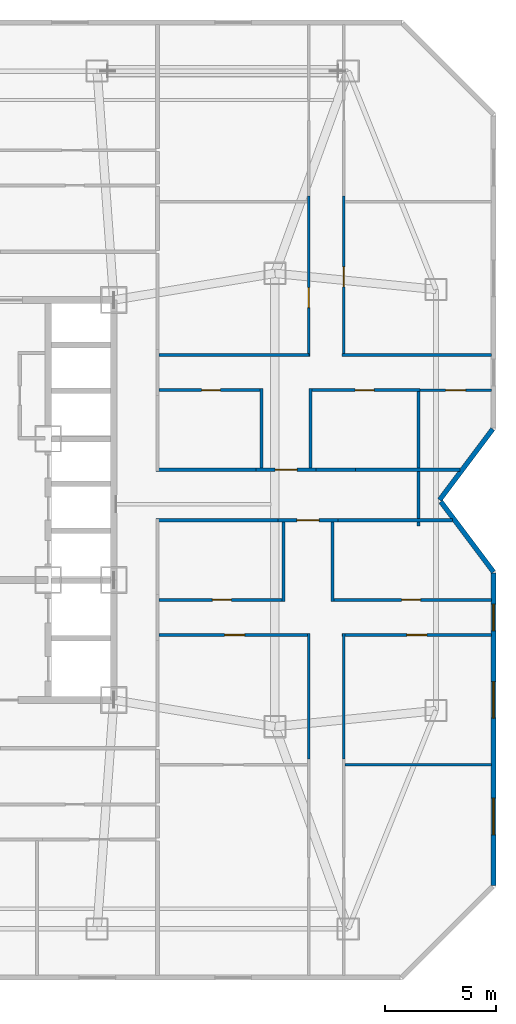
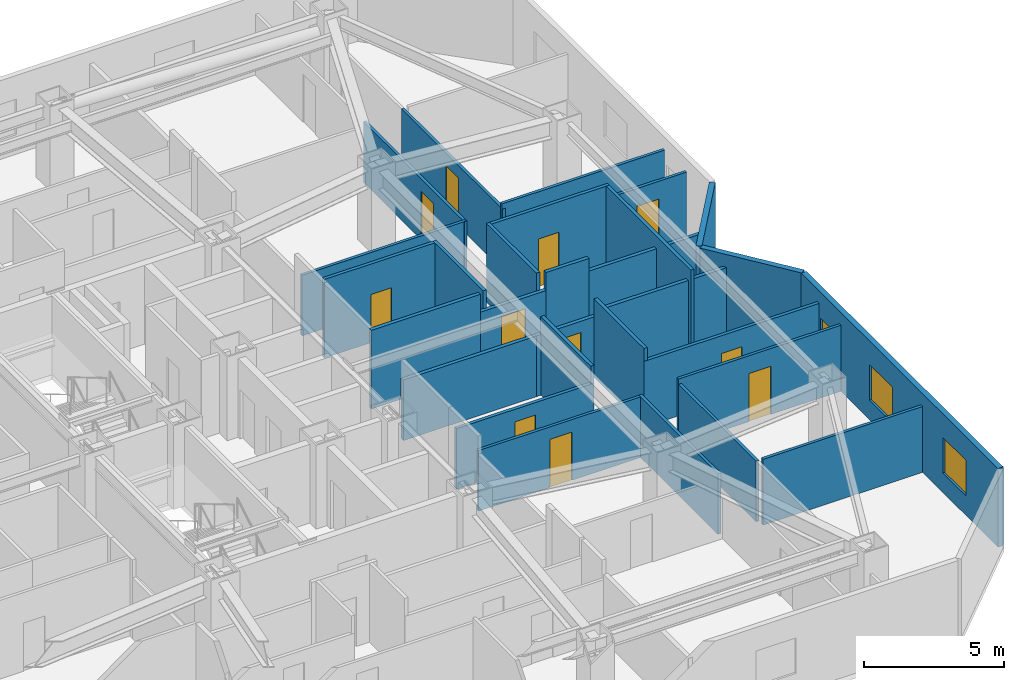
# One storey, part 7 of 10: 29 walls, 11 doors, 3 windows, 14 openings.
"""IFC4 building model written with IfcOpenShell, lengths in metres."""

from ifc_helpers import new_model, si_unit, direction, frame, frame_2d, origin, place, context, subcontext, project, spatial, rectangle, extrude, material, layer, layer_set, type_object, element, fill, save


model = new_model("IFC4")

# Units and contexts
model_context = context("Model", 3, precision=1e-05, world=origin(), true_north=direction((0.0, 1.0)))
body_context = subcontext(model_context, "Body", "Model", "MODEL_VIEW")
ifc_project = project(units=[si_unit("LENGTHUNIT", "METRE"), si_unit("AREAUNIT", "SQUARE_METRE"), si_unit("VOLUMEUNIT", "CUBIC_METRE"), si_unit("PLANEANGLEUNIT", "RADIAN"), si_unit("MASSUNIT", "GRAM", prefix="KILO")], contexts=[model_context])

# Site, building, storey
site_placement = place(None, origin())
site = spatial("IfcSite", under=ifc_project, at=site_placement, CompositionType="ELEMENT")
building_placement = place(site_placement, origin())
building = spatial("IfcBuilding", under=site, at=building_placement, Name="Khamvora Tower", CompositionType="ELEMENT")
storey_placement = place(building_placement, frame((0.0, 0.0, 94.60009765625)))
storey = spatial("IfcBuildingStorey", under=building, at=storey_placement, Name="L23", CompositionType="ELEMENT", Elevation=94.60009765625)

# Wall, opening, door
ifc_material_1 = material(Name="Fire-Rated Drywall and Steel Stud", Category="steel")
ifc_layer_1 = layer(ifc_material_1, 0.14990234375)
ifc_layer_set_1 = layer_set([ifc_layer_1], Name="Fire-Rated Drywall and Steel Stud")
wall_type_1 = type_object("IfcWallType", Name="WAL-CORR-150", PredefinedType="STANDARD", material=ifc_layer_set_1)
wall_1_placement = place(storey_placement, frame((49.486083984375, 27.0849609375, 0.0), z_axis=(0.0, 0.0, 1.0), x_axis=(-1.0, 0.0, 0.0)))
wall_1 = element("IfcWall", 1, at=wall_1_placement, inside=storey, type_object=wall_type_1, Name="L23 interior partition wall 024", PredefinedType="STANDARD", context=body_context, shape_type="SweptSolid", body=[
    extrude(rectangle(XDim=2.697998046875, YDim=0.14990234375, at=frame_2d((1.34912109375, 0.0))), origin(), (0.0, 0.0, 1.0), 2.64697265625),
])
opening_1_placement = place(wall_1_placement, frame((0.84912109375, 0.0, 0.0)))
opening_1 = element("IfcOpeningElement", 2, at=opening_1_placement, cuts=wall_1, Name="Opening D-U1", PredefinedType="OPENING", context=body_context, shape_type="SweptSolid", body=[
    extrude(rectangle(XDim=1.0, YDim=2.14990234375, at=frame_2d((0.5, 1.074951171875))), frame((0.0, 0.0849609375, 0.0), z_axis=(0.0, -1.0, 0.0), x_axis=(1.0, 0.0, 0.0)), (0.0, 0.0, 1.0), 0.169921875),
])
ifc_material_2 = material(Name="Powder-Coated Steel and Hardwood Leaf", Category="steel")
door_type_1 = type_object("IfcDoorType", Name="DOR-UNIT-1000", OperationType="NOTDEFINED", PredefinedType="DOOR", material=ifc_material_2)
door_1_placement = place(opening_1_placement, origin())
door_1 = element("IfcDoor", 3, at=door_1_placement, inside=storey, type_object=door_type_1, Name="L23 interior door COR-23EAH", OperationType="SINGLE_SWING_LEFT", OverallHeight=2.14990234375, OverallWidth=1.0, PredefinedType="DOOR", context=body_context, shape_type="SweptSolid", body=[
    extrude(rectangle(XDim=1.0, YDim=2.14990234375, at=frame_2d((0.5, 1.074951171875))), frame((0.0, 0.02490234375, 0.0), z_axis=(0.0, -1.0, 0.0), x_axis=(1.0, 0.0, 0.0)), (0.0, 0.0, 1.0), 0.050048828125),
])
fill(opening_1, door_1)

# Walls
wall_2_placement = place(storey_placement, frame((46.7880859375, 27.0849609375, 0.0), z_axis=(0.0, 0.0, 1.0), x_axis=(-1.0, 0.0, 0.0)))
element("IfcWall", 4, at=wall_2_placement, inside=storey, type_object=wall_type_1, Name="L23 interior partition wall 026", PredefinedType="STANDARD", context=body_context, shape_type="SweptSolid", body=[
    extrude(rectangle(XDim=5.488037109375, YDim=0.14990234375, at=frame_2d((2.744140625, 0.0))), origin(), (0.0, 0.0, 1.0), 2.64697265625),
])
wall_3_placement = place(storey_placement, frame((54.636962890625, 27.0849609375, 0.0), z_axis=(0.0, 0.0, 1.0), x_axis=(-1.0, 0.0, 0.0)))
element("IfcWall", 5, at=wall_3_placement, inside=storey, type_object=wall_type_1, Name="L23 interior partition wall 028", PredefinedType="STANDARD", context=body_context, shape_type="SweptSolid", body=[
    extrude(rectangle(XDim=5.15087890625, YDim=0.14990234375, at=frame_2d((2.575439453125, 0.0))), origin(), (0.0, 0.0, 1.0), 2.8759765625),
])
wall_4_placement = place(storey_placement, frame((50.27197265625, 29.364990234375, 0.0), z_axis=(0.0, 0.0, 1.0), x_axis=(1.0, 0.0, 0.0)))
element("IfcWall", 6, at=wall_4_placement, inside=storey, type_object=wall_type_1, Name="L23 interior partition wall 030", PredefinedType="STANDARD", context=body_context, shape_type="SweptSolid", body=[
    extrude(rectangle(XDim=4.7021484375, YDim=0.14990234375, at=frame_2d((2.35107421875, 0.0))), origin(), (0.0, 0.0, 1.0), 2.8759765625),
])

# Wall, opening, door
wall_5_placement = place(storey_placement, frame((45.806884765625, 29.364990234375, 0.0), z_axis=(0.0, 0.0, 1.0), x_axis=(1.0, 0.0, 0.0)))
wall_5 = element("IfcWall", 7, at=wall_5_placement, inside=storey, type_object=wall_type_1, Name="L23 interior partition wall 032", PredefinedType="STANDARD", context=body_context, shape_type="SweptSolid", body=[
    extrude(rectangle(XDim=2.697998046875, YDim=0.14990234375, at=frame_2d((1.34912109375, 0.0))), origin(), (0.0, 0.0, 1.0), 2.64697265625),
])
opening_2_placement = place(wall_5_placement, frame((0.84912109375, 0.0, 0.0)))
opening_2 = element("IfcOpeningElement", 8, at=opening_2_placement, cuts=wall_5, Name="Opening D-U1", PredefinedType="OPENING", context=body_context, shape_type="SweptSolid", body=[
    extrude(rectangle(XDim=1.0, YDim=2.14990234375, at=frame_2d((0.5, 1.074951171875))), frame((0.0, 0.0849609375, 0.0), z_axis=(0.0, -1.0, 0.0), x_axis=(1.0, 0.0, 0.0)), (0.0, 0.0, 1.0), 0.169921875),
])
door_2_placement = place(opening_2_placement, origin())
door_2 = element("IfcDoor", 9, at=door_2_placement, inside=storey, type_object=door_type_1, Name="L23 interior door COR-23EBH", OperationType="SINGLE_SWING_RIGHT", OverallHeight=2.14990234375, OverallWidth=1.0, PredefinedType="DOOR", context=body_context, shape_type="SweptSolid", body=[
    extrude(rectangle(XDim=1.0, YDim=2.14990234375, at=frame_2d((0.5, 1.074951171875))), frame((0.0, 0.02490234375, 0.0), z_axis=(0.0, -1.0, 0.0), x_axis=(1.0, 0.0, 0.0)), (0.0, 0.0, 1.0), 0.050048828125),
])
fill(opening_2, door_2)

# Walls
wall_6_placement = place(storey_placement, frame((41.300048828125, 29.364990234375, 0.0), z_axis=(0.0, 0.0, 1.0), x_axis=(1.0, 0.0, 0.0)))
element("IfcWall", 10, at=wall_6_placement, inside=storey, type_object=wall_type_1, Name="L23 interior partition wall 034", PredefinedType="STANDARD", context=body_context, shape_type="SweptSolid", body=[
    extrude(rectangle(XDim=4.5068359375, YDim=0.14990234375, at=frame_2d((2.25341796875, 0.0))), origin(), (0.0, 0.0, 1.0), 3.429931640625),
])
wall_7_placement = place(storey_placement, frame((48.5048828125, 29.364990234375, 0.0), z_axis=(0.0, 0.0, 1.0), x_axis=(1.0, 0.0, 0.0)))
element("IfcWall", 11, at=wall_7_placement, inside=storey, type_object=wall_type_1, Name="L23 interior partition wall 035", PredefinedType="STANDARD", context=body_context, shape_type="SweptSolid", body=[
    extrude(rectangle(XDim=1.76708984375, YDim=0.14990234375, at=frame_2d((0.883544921875, 0.0))), origin(), (0.0, 0.0, 1.0), 3.429931640625),
])
ifc_material_3 = material(Name="Precast concrete C40/50", Category="concrete")
ifc_layer_2 = layer(ifc_material_3, 0.219970703125)
ifc_layer_set_2 = layer_set([ifc_layer_2], Name="Precast concrete C40/50")
wall_type_2 = type_object("IfcWallType", Name="WAL-EXT-220", PredefinedType="STANDARD", material=ifc_layer_set_2)
wall_8_placement = place(storey_placement, frame((56.4560546875, 31.19091796875, 0.0), z_axis=(0.0, 0.0, 1.0), x_axis=(-0.600137081448, -0.799897170561, 0.0)))
element("IfcWall", 12, at=wall_8_placement, inside=storey, type_object=wall_type_2, Name="L23 exterior facade wall 10.1", PredefinedType="STANDARD", context=body_context, shape_type="SweptSolid", body=[
    extrude(rectangle(XDim=3.9892578125, YDim=0.219970703125, at=frame_2d((1.99462890625, 0.0))), origin(), (0.0, 0.0, 1.0), 3.429931640625),
])
wall_9_placement = place(storey_placement, frame((54.118896484375, 27.924072265625, 0.0), z_axis=(0.0, 0.0, 1.0), x_axis=(0.600039540588, -0.799970343032, 0.0)))
element("IfcWall", 13, at=wall_9_placement, inside=storey, type_object=wall_type_2, Name="L23 exterior facade wall 11.1", PredefinedType="STANDARD", context=body_context, shape_type="SweptSolid", body=[
    extrude(rectangle(XDim=3.95166015625, YDim=0.219970703125, at=frame_2d((1.975830078125, 0.0))), origin(), (0.0, 0.0, 1.0), 3.429931640625),
])

# Wall, openings, windows
wall_10_placement = place(storey_placement, frame((56.489990234375, 24.70703125, 0.0), z_axis=(0.0, 0.0, 1.0), x_axis=(0.0, -1.0, 0.0)))
wall_10 = element("IfcWall", 14, at=wall_10_placement, inside=storey, type_object=wall_type_2, Name="L23 exterior facade wall 12.1", PredefinedType="STANDARD", context=body_context, shape_type="SweptSolid", body=[
    extrude(rectangle(XDim=14.06103515625, YDim=0.219970703125, at=frame_2d((7.030517578125, 0.0))), origin(), (0.0, 0.0, 1.0), 3.429931640625),
])
opening_3_placement = place(wall_10_placement, frame((1.39208984375, 0.0, 0.800048828125)))
opening_3 = element("IfcOpeningElement", 15, at=opening_3_placement, cuts=wall_10, Name="Opening WN-03", PredefinedType="OPENING", context=body_context, shape_type="SweptSolid", body=[
    extrude(rectangle(XDim=1.199951171875, YDim=1.5, at=frame_2d((0.60009765625, 0.75))), frame((0.0, 0.119873046875, 0.0), z_axis=(0.0, -1.0, 0.0), x_axis=(1.0, 0.0, 0.0)), (0.0, 0.0, 1.0), 0.239990234375),
])
opening_4_placement = place(wall_10_placement, frame((10.1220703125, 0.0, 0.85009765625)))
opening_4 = element("IfcOpeningElement", 16, at=opening_4_placement, cuts=wall_10, Name="Opening WN-06", PredefinedType="OPENING", context=body_context, shape_type="SweptSolid", body=[
    extrude(rectangle(XDim=1.64990234375, YDim=1.550048828125, at=frame_2d((0.824951171875, 0.77490234375))), frame((0.0, 0.119873046875, 0.0), z_axis=(0.0, -1.0, 0.0), x_axis=(1.0, 0.0, 0.0)), (0.0, 0.0, 1.0), 0.239990234375),
])
opening_5_placement = place(wall_10_placement, frame((4.875, 0.0, 0.85009765625)))
opening_5 = element("IfcOpeningElement", 17, at=opening_5_placement, cuts=wall_10, Name="Opening WN-06", PredefinedType="OPENING", context=body_context, shape_type="SweptSolid", body=[
    extrude(rectangle(XDim=1.64990234375, YDim=1.550048828125, at=frame_2d((0.824951171875, 0.77490234375))), frame((0.0, 0.119873046875, 0.0), z_axis=(0.0, -1.0, 0.0), x_axis=(1.0, 0.0, 0.0)), (0.0, 0.0, 1.0), 0.239990234375),
])
ifc_material_4 = material(Name="Low-E Laminated Double Glazing", Category="glass")
window_type_1 = type_object("IfcWindowType", Name="WIN-VIS-1200x1500", PartitioningType="SINGLE_PANEL", PredefinedType="WINDOW", material=ifc_material_4)
window_1_placement = place(opening_3_placement, origin())
window_1 = element("IfcWindow", 18, at=window_1_placement, inside=storey, type_object=window_type_1, Name="L23 vision window 12.1.01", OverallHeight=1.5, OverallWidth=1.199951171875, PartitioningType="SINGLE_PANEL", PredefinedType="WINDOW", context=body_context, shape_type="SweptSolid", body=[
    extrude(rectangle(XDim=1.199951171875, YDim=1.5, at=frame_2d((0.60009765625, 0.75))), frame((0.0, 0.030029296875, 0.0), z_axis=(0.0, -1.0, 0.0), x_axis=(1.0, 0.0, 0.0)), (0.0, 0.0, 1.0), 0.06005859375),
])
fill(opening_3, window_1)
window_type_2 = type_object("IfcWindowType", Name="WIN-VIS-1650x1550", PartitioningType="SINGLE_PANEL", PredefinedType="WINDOW", material=ifc_material_4)
window_2_placement = place(opening_4_placement, origin())
window_2 = element("IfcWindow", 19, at=window_2_placement, inside=storey, type_object=window_type_2, Name="L23 vision window 12.1.02", OverallHeight=1.550048828125, OverallWidth=1.64990234375, PartitioningType="SINGLE_PANEL", PredefinedType="WINDOW", context=body_context, shape_type="SweptSolid", body=[
    extrude(rectangle(XDim=1.64990234375, YDim=1.550048828125, at=frame_2d((0.824951171875, 0.77490234375))), frame((0.0, 0.030029296875, 0.0), z_axis=(0.0, -1.0, 0.0), x_axis=(1.0, 0.0, 0.0)), (0.0, 0.0, 1.0), 0.06005859375),
])
fill(opening_4, window_2)
window_3_placement = place(opening_5_placement, origin())
window_3 = element("IfcWindow", 20, at=window_3_placement, inside=storey, type_object=window_type_2, Name="L23 vision window 12.1.03", OverallHeight=1.550048828125, OverallWidth=1.64990234375, PartitioningType="SINGLE_PANEL", PredefinedType="WINDOW", context=body_context, shape_type="SweptSolid", body=[
    extrude(rectangle(XDim=1.64990234375, YDim=1.550048828125, at=frame_2d((0.824951171875, 0.77490234375))), frame((0.0, 0.030029296875, 0.0), z_axis=(0.0, -1.0, 0.0), x_axis=(1.0, 0.0, 0.0)), (0.0, 0.0, 1.0), 0.06005859375),
])
fill(opening_5, window_3)

# Wall
ifc_material_5 = material(Name="Gypsum Plasterboard Partition", Category="gypsum")
ifc_layer_3 = layer(ifc_material_5, 0.1201171875)
ifc_layer_set_3 = layer_set([ifc_layer_3], Name="Gypsum Plasterboard Partition")
wall_type_3 = type_object("IfcWallType", Name="WAL-PART-120", PredefinedType="PARTITIONING", material=ifc_layer_set_3)
wall_11_placement = place(storey_placement, frame((48.175048828125, 16.337890625, 0.0), z_axis=(0.0, 0.0, 1.0), x_axis=(0.0, 1.0, 0.0)))
element("IfcWall", 21, at=wall_11_placement, inside=storey, type_object=wall_type_3, Name="L23 interior partition wall 102", PredefinedType="PARTITIONING", context=body_context, shape_type="SweptSolid", body=[
    extrude(rectangle(XDim=5.652099609375, YDim=0.1201171875, at=frame_2d((2.826171875, 0.0))), origin(), (0.0, 0.0, 1.0), 2.64697265625),
])

# Wall, opening, door
wall_12_placement = place(storey_placement, frame((48.239990234375, 21.925048828125, 0.0), z_axis=(0.0, 0.0, 1.0), x_axis=(-1.0, 0.0, 0.0)))
wall_12 = element("IfcWall", 22, at=wall_12_placement, inside=storey, type_object=wall_type_3, Name="L23 interior partition wall 103", PredefinedType="PARTITIONING", context=body_context, shape_type="SweptSolid", body=[
    extrude(rectangle(XDim=6.80810546875, YDim=0.1201171875, at=frame_2d((3.404052734375, 0.0))), origin(), (0.0, 0.0, 1.0), 2.64697265625),
])
opening_6_placement = place(wall_12_placement, frame((2.9541015625, 0.0, 0.0)))
opening_6 = element("IfcOpeningElement", 23, at=opening_6_placement, cuts=wall_12, Name="Opening D-RM1", PredefinedType="OPENING", context=body_context, shape_type="SweptSolid", body=[
    extrude(rectangle(XDim=0.89990234375, YDim=2.10009765625, at=frame_2d((0.449951171875, 1.050048828125))), frame((0.0, 0.070068359375, 0.0), z_axis=(0.0, -1.0, 0.0), x_axis=(1.0, 0.0, 0.0)), (0.0, 0.0, 1.0), 0.14013671875),
])
door_type_2 = type_object("IfcDoorType", Name="DOR-ROOM-900", OperationType="NOTDEFINED", PredefinedType="DOOR", material=ifc_material_2)
door_3_placement = place(opening_6_placement, origin())
door_3 = element("IfcDoor", 24, at=door_3_placement, inside=storey, type_object=door_type_2, Name="L23 interior door 23EAH-23EAR2", OperationType="SINGLE_SWING_RIGHT", OverallHeight=2.10009765625, OverallWidth=0.89990234375, PredefinedType="DOOR", context=body_context, shape_type="SweptSolid", body=[
    extrude(rectangle(XDim=0.89990234375, YDim=2.10009765625, at=frame_2d((0.449951171875, 1.050048828125))), frame((0.0, 0.02490234375, 0.0), z_axis=(0.0, -1.0, 0.0), x_axis=(1.0, 0.0, 0.0)), (0.0, 0.0, 1.0), 0.050048828125),
])
fill(opening_6, door_3)

wall_13_placement = place(storey_placement, frame((56.387939453125, 21.925048828125, 0.0), z_axis=(0.0, 0.0, 1.0), x_axis=(-1.0, 0.0, 0.0)))
wall_13 = element("IfcWall", 25, at=wall_13_placement, inside=storey, type_object=wall_type_3, Name="L23 interior partition wall 105", PredefinedType="PARTITIONING", context=body_context, shape_type="SweptSolid", body=[
    extrude(rectangle(XDim=6.7080078125, YDim=0.1201171875, at=frame_2d((3.35400390625, 0.0))), origin(), (0.0, 0.0, 1.0), 2.8759765625),
])
opening_7_placement = place(wall_13_placement, frame((2.904052734375, 0.0, 0.0)))
opening_7 = element("IfcOpeningElement", 26, at=opening_7_placement, cuts=wall_13, Name="Opening D-RM1", PredefinedType="OPENING", context=body_context, shape_type="SweptSolid", body=[
    extrude(rectangle(XDim=0.89990234375, YDim=2.10009765625, at=frame_2d((0.449951171875, 1.050048828125))), frame((0.0, 0.070068359375, 0.0), z_axis=(0.0, -1.0, 0.0), x_axis=(1.0, 0.0, 0.0)), (0.0, 0.0, 1.0), 0.14013671875),
])
door_4_placement = place(opening_7_placement, origin())
door_4 = element("IfcDoor", 27, at=door_4_placement, inside=storey, type_object=door_type_2, Name="L23 interior door 23EAH-23EAR4", OperationType="SINGLE_SWING_RIGHT", OverallHeight=2.10009765625, OverallWidth=0.89990234375, PredefinedType="DOOR", context=body_context, shape_type="SweptSolid", body=[
    extrude(rectangle(XDim=0.89990234375, YDim=2.10009765625, at=frame_2d((0.449951171875, 1.050048828125))), frame((0.0, 0.02490234375, 0.0), z_axis=(0.0, -1.0, 0.0), x_axis=(1.0, 0.0, 0.0)), (0.0, 0.0, 1.0), 0.050048828125),
])
fill(opening_7, door_4)

# Walls
wall_14_placement = place(storey_placement, frame((49.7451171875, 21.989990234375, 0.0), z_axis=(0.0, 0.0, 1.0), x_axis=(0.0, -1.0, 0.0)))
element("IfcWall", 28, at=wall_14_placement, inside=storey, type_object=wall_type_3, Name="L23 interior partition wall 106", PredefinedType="PARTITIONING", context=body_context, shape_type="SweptSolid", body=[
    extrude(rectangle(XDim=5.652099609375, YDim=0.1201171875, at=frame_2d((2.826171875, 0.0))), origin(), (0.0, 0.0, 1.0), 2.64697265625),
])
wall_15_placement = place(storey_placement, frame((49.799072265625, 16.089111328125, 0.0), z_axis=(0.0, 0.0, 1.0), x_axis=(1.0, 0.0, 0.0)))
element("IfcWall", 29, at=wall_15_placement, inside=storey, type_object=wall_type_3, Name="L23 interior partition wall 108", PredefinedType="PARTITIONING", context=body_context, shape_type="SweptSolid", body=[
    extrude(rectangle(XDim=6.5888671875, YDim=0.1201171875, at=frame_2d((3.29443359375, 0.0))), origin(), (0.0, 0.0, 1.0), 2.8759765625),
])

# Wall, opening, door
wall_16_placement = place(storey_placement, frame((53.18603515625, 32.945068359375, 0.0), z_axis=(0.0, 0.0, 1.0), x_axis=(1.0, 0.0, 0.0)))
wall_16 = element("IfcWall", 30, at=wall_16_placement, inside=storey, type_object=wall_type_3, Name="L23 interior partition wall 109", PredefinedType="PARTITIONING", context=body_context, shape_type="SweptSolid", body=[
    extrude(rectangle(XDim=3.201904296875, YDim=0.1201171875, at=frame_2d((1.60107421875, 0.0))), origin(), (0.0, 0.0, 1.0), 2.8759765625),
])
opening_8_placement = place(wall_16_placement, frame((1.15087890625, 0.0, 0.0)))
opening_8 = element("IfcOpeningElement", 31, at=opening_8_placement, cuts=wall_16, Name="Opening D-RM1", PredefinedType="OPENING", context=body_context, shape_type="SweptSolid", body=[
    extrude(rectangle(XDim=0.89990234375, YDim=2.10009765625, at=frame_2d((0.449951171875, 1.050048828125))), frame((0.0, 0.070068359375, 0.0), z_axis=(0.0, -1.0, 0.0), x_axis=(1.0, 0.0, 0.0)), (0.0, 0.0, 1.0), 0.14013671875),
])
door_5_placement = place(opening_8_placement, origin())
door_5 = element("IfcDoor", 32, at=door_5_placement, inside=storey, type_object=door_type_2, Name="L23 interior door 23EBW2-23EBH", OperationType="SINGLE_SWING_RIGHT", OverallHeight=2.10009765625, OverallWidth=0.89990234375, PredefinedType="DOOR", context=body_context, shape_type="SweptSolid", body=[
    extrude(rectangle(XDim=0.89990234375, YDim=2.10009765625, at=frame_2d((0.449951171875, 1.050048828125))), frame((0.0, 0.02490234375, 0.0), z_axis=(0.0, -1.0, 0.0), x_axis=(1.0, 0.0, 0.0)), (0.0, 0.0, 1.0), 0.050048828125),
])
fill(opening_8, door_5)

# Wall
wall_17_placement = place(storey_placement, frame((41.431884765625, 34.52490234375, 0.0), z_axis=(0.0, 0.0, 1.0), x_axis=(1.0, 0.0, 0.0)))
element("IfcWall", 33, at=wall_17_placement, inside=storey, type_object=wall_type_3, Name="L23 interior partition wall 115", PredefinedType="PARTITIONING", context=body_context, shape_type="SweptSolid", body=[
    extrude(rectangle(XDim=6.759033203125, YDim=0.1201171875, at=frame_2d((3.37939453125, 0.0))), origin(), (0.0, 0.0, 1.0), 2.64697265625),
])

# Wall, opening, door
wall_18_placement = place(storey_placement, frame((48.175048828125, 34.4599609375, 0.0), z_axis=(0.0, 0.0, 1.0), x_axis=(0.0, 1.0, 0.0)))
wall_18 = element("IfcWall", 34, at=wall_18_placement, inside=storey, type_object=wall_type_3, Name="L23 interior partition wall 116", PredefinedType="PARTITIONING", context=body_context, shape_type="SweptSolid", body=[
    extrude(rectangle(XDim=7.213134765625, YDim=0.1201171875, at=frame_2d((3.6064453125, 0.0))), origin(), (0.0, 0.0, 1.0), 2.64697265625),
])
opening_9_placement = place(wall_18_placement, frame((2.19189453125, 0.0, 0.0)))
opening_9 = element("IfcOpeningElement", 35, at=opening_9_placement, cuts=wall_18, Name="Opening D-RM1", PredefinedType="OPENING", context=body_context, shape_type="SweptSolid", body=[
    extrude(rectangle(XDim=0.89990234375, YDim=2.10009765625, at=frame_2d((0.449951171875, 1.050048828125))), frame((0.0, 0.070068359375, 0.0), z_axis=(0.0, -1.0, 0.0), x_axis=(1.0, 0.0, 0.0)), (0.0, 0.0, 1.0), 0.14013671875),
])
door_6_placement = place(opening_9_placement, origin())
door_6 = element("IfcDoor", 36, at=door_6_placement, inside=storey, type_object=door_type_2, Name="L23 interior door 23EBH-23EBR1", OperationType="SINGLE_SWING_RIGHT", OverallHeight=2.10009765625, OverallWidth=0.89990234375, PredefinedType="DOOR", context=body_context, shape_type="SweptSolid", body=[
    extrude(rectangle(XDim=0.89990234375, YDim=2.10009765625, at=frame_2d((0.449951171875, 1.050048828125))), frame((0.0, 0.02490234375, 0.0), z_axis=(0.0, -1.0, 0.0), x_axis=(1.0, 0.0, 0.0)), (0.0, 0.0, 1.0), 0.050048828125),
])
fill(opening_9, door_6)

wall_19_placement = place(storey_placement, frame((49.7451171875, 41.673095703125, 0.0), z_axis=(0.0, 0.0, 1.0), x_axis=(0.0, -1.0, 0.0)))
wall_19 = element("IfcWall", 37, at=wall_19_placement, inside=storey, type_object=wall_type_3, Name="L23 interior partition wall 118", PredefinedType="PARTITIONING", context=body_context, shape_type="SweptSolid", body=[
    extrude(rectangle(XDim=7.213134765625, YDim=0.1201171875, at=frame_2d((3.6064453125, 0.0))), origin(), (0.0, 0.0, 1.0), 2.64697265625),
])
opening_10_placement = place(wall_19_placement, frame((3.177001953125, 0.0, 0.0)))
opening_10 = element("IfcOpeningElement", 38, at=opening_10_placement, cuts=wall_19, Name="Opening D-RM1", PredefinedType="OPENING", context=body_context, shape_type="SweptSolid", body=[
    extrude(rectangle(XDim=0.89990234375, YDim=2.10009765625, at=frame_2d((0.449951171875, 1.050048828125))), frame((0.0, 0.070068359375, 0.0), z_axis=(0.0, -1.0, 0.0), x_axis=(1.0, 0.0, 0.0)), (0.0, 0.0, 1.0), 0.14013671875),
])
door_7_placement = place(opening_10_placement, origin())
door_7 = element("IfcDoor", 39, at=door_7_placement, inside=storey, type_object=door_type_2, Name="L23 interior door 23EBH-23EBR3", OperationType="SINGLE_SWING_RIGHT", OverallHeight=2.10009765625, OverallWidth=0.89990234375, PredefinedType="DOOR", context=body_context, shape_type="SweptSolid", body=[
    extrude(rectangle(XDim=0.89990234375, YDim=2.10009765625, at=frame_2d((0.449951171875, 1.050048828125))), frame((0.0, 0.02490234375, 0.0), z_axis=(0.0, -1.0, 0.0), x_axis=(1.0, 0.0, 0.0)), (0.0, 0.0, 1.0), 0.050048828125),
])
fill(opening_10, door_7)

# Wall
wall_20_placement = place(storey_placement, frame((49.679931640625, 34.52490234375, 0.0), z_axis=(0.0, 0.0, 1.0), x_axis=(1.0, 0.0, 0.0)))
element("IfcWall", 40, at=wall_20_placement, inside=storey, type_object=wall_type_3, Name="L23 interior partition wall 119", PredefinedType="PARTITIONING", context=body_context, shape_type="SweptSolid", body=[
    extrude(rectangle(XDim=6.7080078125, YDim=0.1201171875, at=frame_2d((3.35400390625, 0.0))), origin(), (0.0, 0.0, 1.0), 2.8759765625),
])

# Wall, opening, door
ifc_material_6 = material(Name="Moisture-Resistant Plasterboard Partition", Category="gypsum")
ifc_layer_4 = layer(ifc_material_6, 0.135009765625)
ifc_layer_set_4 = layer_set([ifc_layer_4], Name="Moisture-Resistant Plasterboard Partition")
wall_type_4 = type_object("IfcWallType", Name="WAL-WET-135", PredefinedType="PARTITIONING", material=ifc_layer_set_4)
wall_21_placement = place(storey_placement, frame((41.431884765625, 23.5048828125, 0.0), z_axis=(0.0, 0.0, 1.0), x_axis=(1.0, 0.0, 0.0)))
wall_21 = element("IfcWall", 41, at=wall_21_placement, inside=storey, type_object=wall_type_4, Name="L23 interior partition wall 097", PredefinedType="PARTITIONING", context=body_context, shape_type="SweptSolid", body=[
    extrude(rectangle(XDim=5.670166015625, YDim=0.135009765625, at=frame_2d((2.8349609375, 0.0))), origin(), (0.0, 0.0, 1.0), 2.64697265625),
])
opening_11_placement = place(wall_21_placement, frame((2.409912109375, 0.0, 0.0)))
opening_11 = element("IfcOpeningElement", 42, at=opening_11_placement, cuts=wall_21, Name="Opening D-WC1", PredefinedType="OPENING", context=body_context, shape_type="SweptSolid", body=[
    extrude(rectangle(XDim=0.85009765625, YDim=2.10009765625, at=frame_2d((0.425048828125, 1.050048828125))), frame((0.0, 0.077392578125, 0.0), z_axis=(0.0, -1.0, 0.0), x_axis=(1.0, 0.0, 0.0)), (0.0, 0.0, 1.0), 0.155029296875),
])
door_type_3 = type_object("IfcDoorType", Name="DOR-WET-850", OperationType="NOTDEFINED", PredefinedType="DOOR", material=ifc_material_2)
door_8_placement = place(opening_11_placement, origin())
door_8 = element("IfcDoor", 43, at=door_8_placement, inside=storey, type_object=door_type_3, Name="L23 interior door 23EAH-23EAB", OperationType="SINGLE_SWING_LEFT", OverallHeight=2.10009765625, OverallWidth=0.85009765625, PredefinedType="DOOR", context=body_context, shape_type="SweptSolid", body=[
    extrude(rectangle(XDim=0.85009765625, YDim=2.10009765625, at=frame_2d((0.425048828125, 1.050048828125))), frame((0.0, 0.02490234375, 0.0), z_axis=(0.0, -1.0, 0.0), x_axis=(1.0, 0.0, 0.0)), (0.0, 0.0, 1.0), 0.050048828125),
])
fill(opening_11, door_8)

# Walls
for number, where, z_axis, x_axis, name in (
    (44, (47.037109375, 23.43994140625, 0.0), (0.0, 0.0, 1.0), (0.0, 1.0, 0.0), "L23 interior partition wall 098"),
    (45, (49.237060546875, 27.02001953125, 0.0), (0.0, 0.0, 1.0), (0.0, -1.0, 0.0), "L23 interior partition wall 099"),
):
    element("IfcWall", number, at=place(storey_placement, frame(where, z_axis=z_axis, x_axis=x_axis)), inside=storey, type_object=wall_type_4, Name=name, PredefinedType="PARTITIONING", context=body_context, shape_type="SweptSolid", body=[
        extrude(rectangle(XDim=3.580078125, YDim=0.135009765625, at=frame_2d((1.7900390625, 0.0))), origin(), (0.0, 0.0, 1.0), 3.429931640625),
    ])

# Wall, opening, door
wall_22_placement = place(storey_placement, frame((49.172119140625, 23.5048828125, 0.0), z_axis=(0.0, 0.0, 1.0), x_axis=(1.0, 0.0, 0.0)))
wall_22 = element("IfcWall", 46, at=wall_22_placement, inside=storey, type_object=wall_type_4, Name="L23 interior partition wall 100", PredefinedType="PARTITIONING", context=body_context, shape_type="SweptSolid", body=[
    extrude(rectangle(XDim=7.2158203125, YDim=0.135009765625, at=frame_2d((3.60791015625, 0.0))), origin(), (0.0, 0.0, 1.0), 2.8759765625),
])
opening_12_placement = place(wall_22_placement, frame((3.18310546875, 0.0, 0.0)))
opening_12 = element("IfcOpeningElement", 47, at=opening_12_placement, cuts=wall_22, Name="Opening D-RM2", PredefinedType="OPENING", context=body_context, shape_type="SweptSolid", body=[
    extrude(rectangle(XDim=0.85009765625, YDim=2.10009765625, at=frame_2d((0.425048828125, 1.050048828125))), frame((0.0, 0.077392578125, 0.0), z_axis=(0.0, -1.0, 0.0), x_axis=(1.0, 0.0, 0.0)), (0.0, 0.0, 1.0), 0.155029296875),
])
door_type_4 = type_object("IfcDoorType", Name="DOR-ROOM-850", OperationType="NOTDEFINED", PredefinedType="DOOR", material=ifc_material_2)
door_9_placement = place(opening_12_placement, origin())
door_9 = element("IfcDoor", 48, at=door_9_placement, inside=storey, type_object=door_type_4, Name="L23 interior door 23EAH-23EAK", OperationType="SINGLE_SWING_RIGHT", OverallHeight=2.10009765625, OverallWidth=0.85009765625, PredefinedType="DOOR", context=body_context, shape_type="SweptSolid", body=[
    extrude(rectangle(XDim=0.85009765625, YDim=2.10009765625, at=frame_2d((0.425048828125, 1.050048828125))), frame((0.0, 0.02490234375, 0.0), z_axis=(0.0, -1.0, 0.0), x_axis=(1.0, 0.0, 0.0)), (0.0, 0.0, 1.0), 0.050048828125),
])
fill(opening_12, door_9)

# Walls
wall_23_placement = place(storey_placement, frame((53.12109375, 26.830078125, 0.0), z_axis=(0.0, 0.0, 1.0), x_axis=(0.0, 1.0, 0.0)))
element("IfcWall", 49, at=wall_23_placement, inside=storey, type_object=wall_type_4, Name="L23 interior partition wall 110", PredefinedType="PARTITIONING", context=body_context, shape_type="SweptSolid", body=[
    extrude(rectangle(XDim=6.0498046875, YDim=0.135009765625, at=frame_2d((3.02490234375, 0.0))), origin(), (0.0, 0.0, 1.0), 3.429931640625),
])
wall_24_placement = place(storey_placement, frame((46.055908203125, 29.429931640625, 0.0), z_axis=(0.0, 0.0, 1.0), x_axis=(0.0, 1.0, 0.0)))
element("IfcWall", 50, at=wall_24_placement, inside=storey, type_object=wall_type_4, Name="L23 interior partition wall 111", PredefinedType="PARTITIONING", context=body_context, shape_type="SweptSolid", body=[
    extrude(rectangle(XDim=3.580078125, YDim=0.135009765625, at=frame_2d((1.7900390625, 0.0))), origin(), (0.0, 0.0, 1.0), 3.429931640625),
])

# Wall, opening, door
wall_25_placement = place(storey_placement, frame((46.12109375, 32.945068359375, 0.0), z_axis=(0.0, 0.0, 1.0), x_axis=(-1.0, 0.0, 0.0)))
wall_25 = element("IfcWall", 51, at=wall_25_placement, inside=storey, type_object=wall_type_4, Name="L23 interior partition wall 112", PredefinedType="PARTITIONING", context=body_context, shape_type="SweptSolid", body=[
    extrude(rectangle(XDim=4.689208984375, YDim=0.135009765625, at=frame_2d((2.3447265625, 0.0))), origin(), (0.0, 0.0, 1.0), 3.429931640625),
])
opening_13_placement = place(wall_25_placement, frame((1.9189453125, 0.0, 0.0)))
opening_13 = element("IfcOpeningElement", 52, at=opening_13_placement, cuts=wall_25, Name="Opening D-WC1", PredefinedType="OPENING", context=body_context, shape_type="SweptSolid", body=[
    extrude(rectangle(XDim=0.85009765625, YDim=2.10009765625, at=frame_2d((0.425048828125, 1.050048828125))), frame((0.0, 0.077392578125, 0.0), z_axis=(0.0, -1.0, 0.0), x_axis=(1.0, 0.0, 0.0)), (0.0, 0.0, 1.0), 0.155029296875),
])
door_10_placement = place(opening_13_placement, origin())
door_10 = element("IfcDoor", 53, at=door_10_placement, inside=storey, type_object=door_type_3, Name="L23 interior door 23EBH-23EBB", OperationType="SINGLE_SWING_LEFT", OverallHeight=2.10009765625, OverallWidth=0.85009765625, PredefinedType="DOOR", context=body_context, shape_type="SweptSolid", body=[
    extrude(rectangle(XDim=0.85009765625, YDim=2.10009765625, at=frame_2d((0.425048828125, 1.050048828125))), frame((0.0, 0.02490234375, 0.0), z_axis=(0.0, -1.0, 0.0), x_axis=(1.0, 0.0, 0.0)), (0.0, 0.0, 1.0), 0.050048828125),
])
fill(opening_13, door_10)

wall_26_placement = place(storey_placement, frame((53.18603515625, 32.945068359375, 0.0), z_axis=(0.0, 0.0, 1.0), x_axis=(-1.0, 0.0, 0.0)))
wall_26 = element("IfcWall", 54, at=wall_26_placement, inside=storey, type_object=wall_type_4, Name="L23 interior partition wall 113", PredefinedType="PARTITIONING", context=body_context, shape_type="SweptSolid", body=[
    extrude(rectangle(XDim=4.9951171875, YDim=0.135009765625, at=frame_2d((2.49755859375, 0.0))), origin(), (0.0, 0.0, 1.0), 3.429931640625),
])
opening_14_placement = place(wall_26_placement, frame((2.072998046875, 0.0, 0.0)))
opening_14 = element("IfcOpeningElement", 55, at=opening_14_placement, cuts=wall_26, Name="Opening D-RM2", PredefinedType="OPENING", context=body_context, shape_type="SweptSolid", body=[
    extrude(rectangle(XDim=0.85009765625, YDim=2.10009765625, at=frame_2d((0.425048828125, 1.050048828125))), frame((0.0, 0.077392578125, 0.0), z_axis=(0.0, -1.0, 0.0), x_axis=(1.0, 0.0, 0.0)), (0.0, 0.0, 1.0), 0.155029296875),
])
door_11_placement = place(opening_14_placement, origin())
door_11 = element("IfcDoor", 56, at=door_11_placement, inside=storey, type_object=door_type_4, Name="L23 interior door 23EBH-23EBK", OperationType="SINGLE_SWING_RIGHT", OverallHeight=2.10009765625, OverallWidth=0.85009765625, PredefinedType="DOOR", context=body_context, shape_type="SweptSolid", body=[
    extrude(rectangle(XDim=0.85009765625, YDim=2.10009765625, at=frame_2d((0.425048828125, 1.050048828125))), frame((0.0, 0.02490234375, 0.0), z_axis=(0.0, -1.0, 0.0), x_axis=(1.0, 0.0, 0.0)), (0.0, 0.0, 1.0), 0.050048828125),
])
fill(opening_14, door_11)

# Wall
wall_27_placement = place(storey_placement, frame((48.256103515625, 33.010009765625, 0.0), z_axis=(0.0, 0.0, 1.0), x_axis=(0.0, -1.0, 0.0)))
element("IfcWall", 57, at=wall_27_placement, inside=storey, type_object=wall_type_4, Name="L23 interior partition wall 114", PredefinedType="PARTITIONING", context=body_context, shape_type="SweptSolid", body=[
    extrude(rectangle(XDim=3.580078125, YDim=0.135009765625, at=frame_2d((1.7900390625, 0.0))), origin(), (0.0, 0.0, 1.0), 3.429931640625),
])

save(model, "model.ifc")
